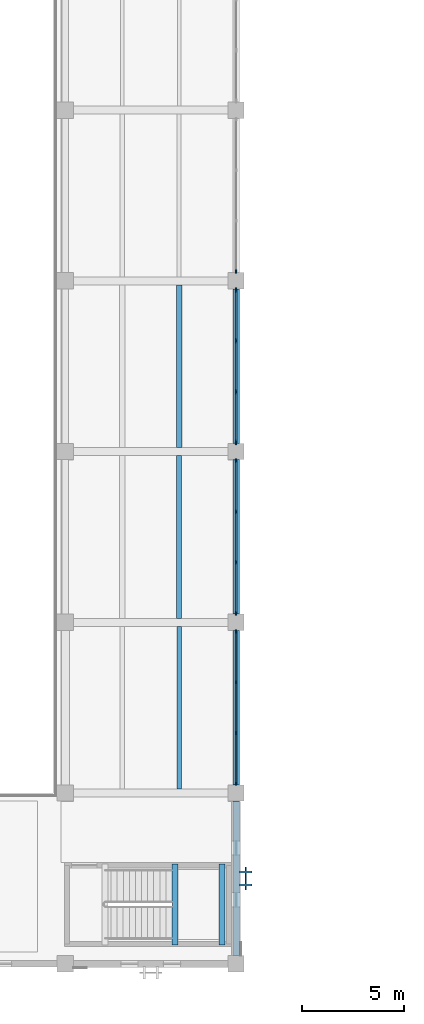
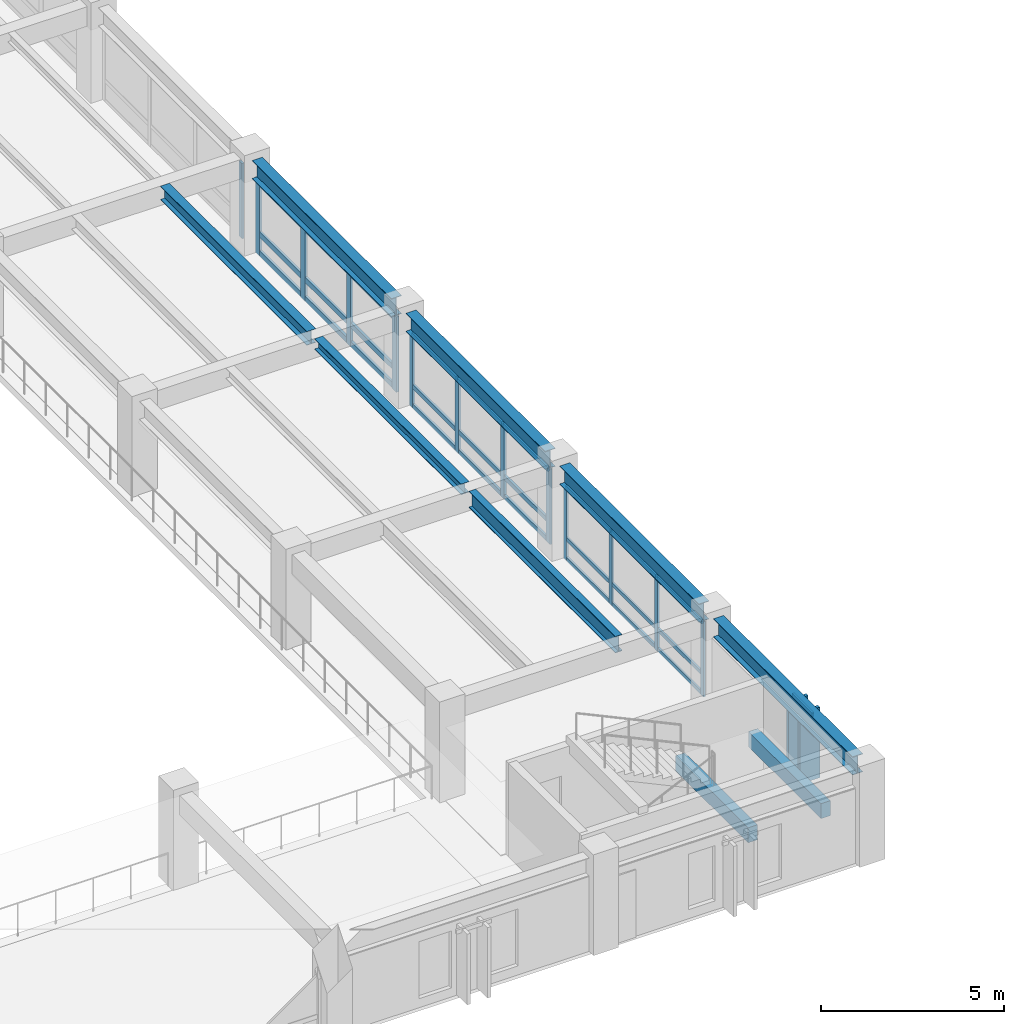
# One storey, part 13 of 111: 43 members, 9 beams, 5 elements without a shape of their own.
"""IFC4 building model written with IfcOpenShell, lengths in metres."""

from ifc_helpers import new_model, si_unit, direction, frame, origin, origin_2d, place, context, subcontext, project, spatial, rectangle, i_section, extrude, material, material_profile, profile_set, type_object, element, aggregate, save


model = new_model("IFC4")

# Units and contexts
model_context = context("Model", 3, precision=1e-05, world=origin(), true_north=direction((0.0, 1.0)))
body_context = subcontext(model_context, "Body", "Model", "MODEL_VIEW")
ifc_project = project(units=[si_unit("LENGTHUNIT", "METRE"), si_unit("AREAUNIT", "SQUARE_METRE"), si_unit("VOLUMEUNIT", "CUBIC_METRE"), si_unit("PLANEANGLEUNIT", "RADIAN"), si_unit("MASSUNIT", "GRAM", prefix="KILO")], contexts=[model_context])

# Site, building, storey
site_placement = place(None, origin())
site = spatial("IfcSite", under=ifc_project, at=site_placement, CompositionType="ELEMENT")
building_placement = place(site_placement, origin())
building = spatial("IfcBuilding", under=site, at=building_placement, Name="Cumbredor Promenade Congress Hotel", CompositionType="ELEMENT")
storey_placement = place(building_placement, frame((0.0, 0.0, 15.1201171875)))
storey = spatial("IfcBuildingStorey", under=building, at=storey_placement, Name="L04", CompositionType="ELEMENT", Elevation=15.1201171875)

# Curtain wall, members
ifc_material_1 = material(Name="Thermally broken anodized aluminium and low-E glass", Category="aluminium")
curtain_wall_type_1 = type_object("IfcCurtainWallType", Name="Unitised Bronze Curtain Wall CW-01", PredefinedType="NOTDEFINED", material=ifc_material_1)
curtain_wall_1_placement = place(storey_placement, origin())
curtain_wall_1 = element("IfcCurtainWall", 1, at=curtain_wall_1_placement, inside=storey, type_object=curtain_wall_type_1, Name="L04 Plenary Congress Hall East Curtain Wall 2", PredefinedType="NOTDEFINED")
ifc_material_2 = material(Name="Thermally broken anodized aluminium", Category="aluminium")
ifc_material_profile_1 = material_profile(ifc_material_2, rectangle(XDim=0.06494140625, YDim=0.159912109375, at=origin_2d()), Name="ALU MULLION 65x160")
ifc_profile_set_1 = profile_set([ifc_material_profile_1], Name="Thermally broken anodized aluminium")
member_type_1 = type_object("IfcMemberType", Name="Curtain Wall Mullion ML-01", PredefinedType="MULLION", material=ifc_profile_set_1)
member_1_placement = place(storey_placement, frame((67.199951171875, 17.2548828125, -0.008056640625), z_axis=(0.0, 0.0, 1.0), x_axis=(1.0, 0.0, 0.0)))
member_1 = element("IfcMember", 2, at=member_1_placement, type_object=member_type_1, Name="L04 Plenary Congress Hall East Curtain Wall 2 Mullion 1", PredefinedType="MULLION", context=body_context, shape_type="SweptSolid", body=[
    extrude(rectangle(XDim=0.06494140625, YDim=0.159912109375, at=origin_2d()), origin(), (0.0, 0.0, 1.0), 2.510009765625),
])
member_2_placement = place(storey_placement, frame((67.199951171875, 19.751708984375, -0.008056640625), z_axis=(0.0, 0.0, 1.0), x_axis=(1.0, 0.0, 0.0)))
member_2 = element("IfcMember", 3, at=member_2_placement, type_object=member_type_1, Name="L04 Plenary Congress Hall East Curtain Wall 2 Mullion 2", PredefinedType="MULLION", context=body_context, shape_type="SweptSolid", body=[
    extrude(rectangle(XDim=0.06494140625, YDim=0.159912109375, at=origin_2d()), origin(), (0.0, 0.0, 1.0), 2.510009765625),
])
member_3_placement = place(storey_placement, frame((67.199951171875, 22.248291015625, -0.008056640625), z_axis=(0.0, 0.0, 1.0), x_axis=(1.0, 0.0, 0.0)))
member_3 = element("IfcMember", 4, at=member_3_placement, type_object=member_type_1, Name="L04 Plenary Congress Hall East Curtain Wall 2 Mullion 3", PredefinedType="MULLION", context=body_context, shape_type="SweptSolid", body=[
    extrude(rectangle(XDim=0.06494140625, YDim=0.159912109375, at=origin_2d()), origin(), (0.0, 0.0, 1.0), 2.510009765625),
])
member_4_placement = place(storey_placement, frame((67.199951171875, 24.7451171875, -0.008056640625), z_axis=(0.0, 0.0, 1.0), x_axis=(1.0, 0.0, 0.0)))
member_4 = element("IfcMember", 5, at=member_4_placement, type_object=member_type_1, Name="L04 Plenary Congress Hall East Curtain Wall 2 Mullion 4", PredefinedType="MULLION", context=body_context, shape_type="SweptSolid", body=[
    extrude(rectangle(XDim=0.06494140625, YDim=0.159912109375, at=origin_2d()), origin(), (0.0, 0.0, 1.0), 2.510009765625),
])

# Curtain wall, member
curtain_wall_2_placement = place(storey_placement, origin())
curtain_wall_2 = element("IfcCurtainWall", 6, at=curtain_wall_2_placement, inside=storey, type_object=curtain_wall_type_1, Name="L04 Plenary Congress Hall East Curtain Wall 5", PredefinedType="NOTDEFINED")
member_5_placement = place(storey_placement, frame((67.199951171875, 42.455078125, -0.008056640625), z_axis=(0.0, 0.0, 1.0), x_axis=(1.0, 0.0, 0.0)))
member_5 = element("IfcMember", 7, at=member_5_placement, type_object=member_type_1, Name="L04 Plenary Congress Hall East Curtain Wall 5 Mullion 1", PredefinedType="MULLION", context=body_context, shape_type="SweptSolid", body=[
    extrude(rectangle(XDim=0.06494140625, YDim=0.159912109375, at=origin_2d()), origin(), (0.0, 0.0, 1.0), 2.510009765625),
])
aggregate(curtain_wall_2, [member_5])

# Curtain wall, members
curtain_wall_3_placement = place(storey_placement, origin())
curtain_wall_3 = element("IfcCurtainWall", 8, at=curtain_wall_3_placement, inside=storey, type_object=curtain_wall_type_1, Name="L04 Plenary Congress Hall East Curtain Wall 3", PredefinedType="NOTDEFINED")
ifc_material_profile_2 = material_profile(ifc_material_2, rectangle(XDim=0.074951171875, YDim=0.199951171875, at=origin_2d()), Name="ALU MULLION 75x200")
ifc_profile_set_2 = profile_set([ifc_material_profile_2], Name="Thermally broken anodized aluminium")
member_type_2 = type_object("IfcMemberType", Name="Curtain Wall Mullion ML-02", PredefinedType="MULLION", material=ifc_profile_set_2)
member_6_placement = place(storey_placement, frame((67.199951171875, 25.655029296875, -0.008056640625), z_axis=(0.0, 0.0, 1.0), x_axis=(1.0, 0.0, 0.0)))
member_6 = element("IfcMember", 9, at=member_6_placement, type_object=member_type_2, Name="L04 Plenary Congress Hall East Curtain Wall 3 Mullion 1", PredefinedType="MULLION", context=body_context, shape_type="SweptSolid", body=[
    extrude(rectangle(XDim=0.074951171875, YDim=0.199951171875, at=origin_2d()), origin(), (0.0, 0.0, 1.0), 2.510009765625),
])
member_7_placement = place(storey_placement, frame((67.199951171875, 28.151611328125, -0.008056640625), z_axis=(0.0, 0.0, 1.0), x_axis=(1.0, 0.0, 0.0)))
member_7 = element("IfcMember", 10, at=member_7_placement, type_object=member_type_2, Name="L04 Plenary Congress Hall East Curtain Wall 3 Mullion 2", PredefinedType="MULLION", context=body_context, shape_type="SweptSolid", body=[
    extrude(rectangle(XDim=0.074951171875, YDim=0.199951171875, at=origin_2d()), origin(), (0.0, 0.0, 1.0), 2.510009765625),
])
member_8_placement = place(storey_placement, frame((67.199951171875, 30.648193359375, -0.008056640625), z_axis=(0.0, 0.0, 1.0), x_axis=(1.0, 0.0, 0.0)))
member_8 = element("IfcMember", 11, at=member_8_placement, type_object=member_type_2, Name="L04 Plenary Congress Hall East Curtain Wall 3 Mullion 3", PredefinedType="MULLION", context=body_context, shape_type="SweptSolid", body=[
    extrude(rectangle(XDim=0.074951171875, YDim=0.199951171875, at=origin_2d()), origin(), (0.0, 0.0, 1.0), 2.510009765625),
])
member_9_placement = place(storey_placement, frame((67.199951171875, 33.14501953125, -0.008056640625), z_axis=(0.0, 0.0, 1.0), x_axis=(1.0, 0.0, 0.0)))
member_9 = element("IfcMember", 12, at=member_9_placement, type_object=member_type_2, Name="L04 Plenary Congress Hall East Curtain Wall 3 Mullion 4", PredefinedType="MULLION", context=body_context, shape_type="SweptSolid", body=[
    extrude(rectangle(XDim=0.074951171875, YDim=0.199951171875, at=origin_2d()), origin(), (0.0, 0.0, 1.0), 2.510009765625),
])

curtain_wall_4_placement = place(storey_placement, origin())
curtain_wall_4 = element("IfcCurtainWall", 13, at=curtain_wall_4_placement, inside=storey, type_object=curtain_wall_type_1, Name="L04 Plenary Congress Hall East Curtain Wall 4", PredefinedType="NOTDEFINED")
ifc_material_profile_3 = material_profile(ifc_material_2, rectangle(XDim=0.080078125, YDim=0.239990234375, at=origin_2d()), Name="ALU MULLION 80x240")
ifc_profile_set_3 = profile_set([ifc_material_profile_3], Name="Thermally broken anodized aluminium")
member_type_3 = type_object("IfcMemberType", Name="Curtain Wall Mullion ML-03", PredefinedType="MULLION", material=ifc_profile_set_3)
member_10_placement = place(storey_placement, frame((67.199951171875, 34.054931640625, -0.008056640625), z_axis=(0.0, 0.0, 1.0), x_axis=(1.0, 0.0, 0.0)))
member_10 = element("IfcMember", 14, at=member_10_placement, type_object=member_type_3, Name="L04 Plenary Congress Hall East Curtain Wall 4 Mullion 1", PredefinedType="MULLION", context=body_context, shape_type="SweptSolid", body=[
    extrude(rectangle(XDim=0.080078125, YDim=0.239990234375, at=origin_2d()), origin(), (0.0, 0.0, 1.0), 2.510009765625),
])
member_11_placement = place(storey_placement, frame((67.199951171875, 36.5517578125, -0.008056640625), z_axis=(0.0, 0.0, 1.0), x_axis=(1.0, 0.0, 0.0)))
member_11 = element("IfcMember", 15, at=member_11_placement, type_object=member_type_3, Name="L04 Plenary Congress Hall East Curtain Wall 4 Mullion 2", PredefinedType="MULLION", context=body_context, shape_type="SweptSolid", body=[
    extrude(rectangle(XDim=0.080078125, YDim=0.239990234375, at=origin_2d()), origin(), (0.0, 0.0, 1.0), 2.510009765625),
])
member_12_placement = place(storey_placement, frame((67.199951171875, 39.04833984375, -0.008056640625), z_axis=(0.0, 0.0, 1.0), x_axis=(1.0, 0.0, 0.0)))
member_12 = element("IfcMember", 16, at=member_12_placement, type_object=member_type_3, Name="L04 Plenary Congress Hall East Curtain Wall 4 Mullion 3", PredefinedType="MULLION", context=body_context, shape_type="SweptSolid", body=[
    extrude(rectangle(XDim=0.080078125, YDim=0.239990234375, at=origin_2d()), origin(), (0.0, 0.0, 1.0), 2.510009765625),
])
member_13_placement = place(storey_placement, frame((67.199951171875, 41.544921875, -0.008056640625), z_axis=(0.0, 0.0, 1.0), x_axis=(1.0, 0.0, 0.0)))
member_13 = element("IfcMember", 17, at=member_13_placement, type_object=member_type_3, Name="L04 Plenary Congress Hall East Curtain Wall 4 Mullion 4", PredefinedType="MULLION", context=body_context, shape_type="SweptSolid", body=[
    extrude(rectangle(XDim=0.080078125, YDim=0.239990234375, at=origin_2d()), origin(), (0.0, 0.0, 1.0), 2.510009765625),
])

# Curtain wall, member
curtain_wall_type_2 = type_object("IfcCurtainWallType", Name="Solar Brise-Soleil Screen Assembly CW-07", PredefinedType="NOTDEFINED", material=ifc_material_1)
curtain_wall_5_placement = place(storey_placement, origin())
curtain_wall_5 = element("IfcCurtainWall", 18, at=curtain_wall_5_placement, inside=storey, type_object=curtain_wall_type_2, Name="L04 Pier Brise-Soleil Screen 0730", PredefinedType="NOTDEFINED")
ifc_material_profile_4 = material_profile(ifc_material_2, rectangle(XDim=0.06494140625, YDim=0.1298828125, at=origin_2d()), Name="ALU TRANSOM 65x130")
ifc_profile_set_4 = profile_set([ifc_material_profile_4], Name="Thermally broken anodized aluminium")
member_type_4 = type_object("IfcMemberType", Name="Curtain Wall Transom TR-01", PredefinedType="USERDEFINED", material=ifc_profile_set_4)
member_14_placement = place(storey_placement, frame((67.672607421875, 12.050048828125, 2.333984375), z_axis=(0.0, 1.0, 0.0), x_axis=(-1.0, 0.0, 0.0)))
member_14 = element("IfcMember", 19, at=member_14_placement, type_object=member_type_4, Name="L04 Pier Brise-Soleil Header 0732", ObjectType="TRANSOM", PredefinedType="USERDEFINED", context=body_context, shape_type="SweptSolid", body=[
    extrude(rectangle(XDim=0.06494140625, YDim=0.1298828125, at=origin_2d()), origin(), (0.0, 0.0, 1.0), 1.099853515625),
])

# Member
member_15_placement = place(storey_placement, frame((67.199951171875, 17.28759765625, 0.059814453125), z_axis=(0.0, 1.0, 0.0), x_axis=(-1.0, 0.0, 0.0)))
member_15 = element("IfcMember", 20, at=member_15_placement, type_object=member_type_4, Name="L04 Plenary Congress Hall East Curtain Wall 2 Transom 1.1", ObjectType="TRANSOM", PredefinedType="USERDEFINED", context=body_context, shape_type="SweptSolid", body=[
    extrude(rectangle(XDim=0.06494140625, YDim=0.1298828125, at=origin_2d()), origin(), (0.0, 0.0, 1.0), 2.431640625),
])

member_16_placement = place(storey_placement, frame((67.199951171875, 17.28759765625, 0.719970703125), z_axis=(0.0, 1.0, 0.0), x_axis=(-1.0, 0.0, 0.0)))
member_16 = element("IfcMember", 21, at=member_16_placement, type_object=member_type_4, Name="L04 Plenary Congress Hall East Curtain Wall 2 Transom 1.2", ObjectType="TRANSOM", PredefinedType="USERDEFINED", context=body_context, shape_type="SweptSolid", body=[
    extrude(rectangle(XDim=0.06494140625, YDim=0.1298828125, at=origin_2d()), origin(), (0.0, 0.0, 1.0), 2.431640625),
])

member_17_placement = place(storey_placement, frame((67.199951171875, 17.28759765625, 2.429931640625), z_axis=(0.0, 1.0, 0.0), x_axis=(-1.0, 0.0, 0.0)))
member_17 = element("IfcMember", 22, at=member_17_placement, type_object=member_type_4, Name="L04 Plenary Congress Hall East Curtain Wall 2 Transom 1.3", ObjectType="TRANSOM", PredefinedType="USERDEFINED", context=body_context, shape_type="SweptSolid", body=[
    extrude(rectangle(XDim=0.06494140625, YDim=0.1298828125, at=origin_2d()), origin(), (0.0, 0.0, 1.0), 2.431640625),
])

member_18_placement = place(storey_placement, frame((67.199951171875, 19.7841796875, 0.059814453125), z_axis=(0.0, 1.0, 0.0), x_axis=(-1.0, 0.0, 0.0)))
member_18 = element("IfcMember", 23, at=member_18_placement, type_object=member_type_4, Name="L04 Plenary Congress Hall East Curtain Wall 2 Transom 2.1", ObjectType="TRANSOM", PredefinedType="USERDEFINED", context=body_context, shape_type="SweptSolid", body=[
    extrude(rectangle(XDim=0.06494140625, YDim=0.1298828125, at=origin_2d()), origin(), (0.0, 0.0, 1.0), 2.431640625),
])

member_19_placement = place(storey_placement, frame((67.199951171875, 19.7841796875, 0.719970703125), z_axis=(0.0, 1.0, 0.0), x_axis=(-1.0, 0.0, 0.0)))
member_19 = element("IfcMember", 24, at=member_19_placement, type_object=member_type_4, Name="L04 Plenary Congress Hall East Curtain Wall 2 Transom 2.2", ObjectType="TRANSOM", PredefinedType="USERDEFINED", context=body_context, shape_type="SweptSolid", body=[
    extrude(rectangle(XDim=0.06494140625, YDim=0.1298828125, at=origin_2d()), origin(), (0.0, 0.0, 1.0), 2.431640625),
])

member_20_placement = place(storey_placement, frame((67.199951171875, 19.7841796875, 2.429931640625), z_axis=(0.0, 1.0, 0.0), x_axis=(-1.0, 0.0, 0.0)))
member_20 = element("IfcMember", 25, at=member_20_placement, type_object=member_type_4, Name="L04 Plenary Congress Hall East Curtain Wall 2 Transom 2.3", ObjectType="TRANSOM", PredefinedType="USERDEFINED", context=body_context, shape_type="SweptSolid", body=[
    extrude(rectangle(XDim=0.06494140625, YDim=0.1298828125, at=origin_2d()), origin(), (0.0, 0.0, 1.0), 2.431640625),
])

member_21_placement = place(storey_placement, frame((67.199951171875, 22.28076171875, 0.059814453125), z_axis=(0.0, 1.0, 0.0), x_axis=(-1.0, 0.0, 0.0)))
member_21 = element("IfcMember", 26, at=member_21_placement, type_object=member_type_4, Name="L04 Plenary Congress Hall East Curtain Wall 2 Transom 3.1", ObjectType="TRANSOM", PredefinedType="USERDEFINED", context=body_context, shape_type="SweptSolid", body=[
    extrude(rectangle(XDim=0.06494140625, YDim=0.1298828125, at=origin_2d()), origin(), (0.0, 0.0, 1.0), 2.431640625),
])

member_22_placement = place(storey_placement, frame((67.199951171875, 22.28076171875, 0.719970703125), z_axis=(0.0, 1.0, 0.0), x_axis=(-1.0, 0.0, 0.0)))
member_22 = element("IfcMember", 27, at=member_22_placement, type_object=member_type_4, Name="L04 Plenary Congress Hall East Curtain Wall 2 Transom 3.2", ObjectType="TRANSOM", PredefinedType="USERDEFINED", context=body_context, shape_type="SweptSolid", body=[
    extrude(rectangle(XDim=0.06494140625, YDim=0.1298828125, at=origin_2d()), origin(), (0.0, 0.0, 1.0), 2.431640625),
])

member_23_placement = place(storey_placement, frame((67.199951171875, 22.28076171875, 2.429931640625), z_axis=(0.0, 1.0, 0.0), x_axis=(-1.0, 0.0, 0.0)))
member_23 = element("IfcMember", 28, at=member_23_placement, type_object=member_type_4, Name="L04 Plenary Congress Hall East Curtain Wall 2 Transom 3.3", ObjectType="TRANSOM", PredefinedType="USERDEFINED", context=body_context, shape_type="SweptSolid", body=[
    extrude(rectangle(XDim=0.06494140625, YDim=0.1298828125, at=origin_2d()), origin(), (0.0, 0.0, 1.0), 2.431640625),
])

aggregate(curtain_wall_1, [member_1, member_2, member_3, member_4, member_15, member_16, member_17, member_18, member_19, member_20, member_21, member_22, member_23])

ifc_material_profile_5 = material_profile(ifc_material_2, rectangle(XDim=0.074951171875, YDim=0.14990234375, at=origin_2d()), Name="ALU TRANSOM 75x150")
ifc_profile_set_5 = profile_set([ifc_material_profile_5], Name="Thermally broken anodized aluminium")
member_type_5 = type_object("IfcMemberType", Name="Curtain Wall Transom TR-02", PredefinedType="USERDEFINED", material=ifc_profile_set_5)
member_24_placement = place(storey_placement, frame((67.199951171875, 25.6923828125, 0.06982421875), z_axis=(0.0, 1.0, 0.0), x_axis=(-1.0, 0.0, 0.0)))
member_24 = element("IfcMember", 29, at=member_24_placement, type_object=member_type_5, Name="L04 Plenary Congress Hall East Curtain Wall 3 Transom 1.1", ObjectType="TRANSOM", PredefinedType="USERDEFINED", context=body_context, shape_type="SweptSolid", body=[
    extrude(rectangle(XDim=0.074951171875, YDim=0.14990234375, at=origin_2d()), origin(), (0.0, 0.0, 1.0), 2.421875),
])

member_25_placement = place(storey_placement, frame((67.199951171875, 25.6923828125, 0.719970703125), z_axis=(0.0, 1.0, 0.0), x_axis=(-1.0, 0.0, 0.0)))
member_25 = element("IfcMember", 30, at=member_25_placement, type_object=member_type_5, Name="L04 Plenary Congress Hall East Curtain Wall 3 Transom 1.2", ObjectType="TRANSOM", PredefinedType="USERDEFINED", context=body_context, shape_type="SweptSolid", body=[
    extrude(rectangle(XDim=0.074951171875, YDim=0.14990234375, at=origin_2d()), origin(), (0.0, 0.0, 1.0), 2.421875),
])

member_26_placement = place(storey_placement, frame((67.199951171875, 25.6923828125, 2.419921875), z_axis=(0.0, 1.0, 0.0), x_axis=(-1.0, 0.0, 0.0)))
member_26 = element("IfcMember", 31, at=member_26_placement, type_object=member_type_5, Name="L04 Plenary Congress Hall East Curtain Wall 3 Transom 1.3", ObjectType="TRANSOM", PredefinedType="USERDEFINED", context=body_context, shape_type="SweptSolid", body=[
    extrude(rectangle(XDim=0.074951171875, YDim=0.14990234375, at=origin_2d()), origin(), (0.0, 0.0, 1.0), 2.421875),
])

member_27_placement = place(storey_placement, frame((67.199951171875, 28.189208984375, 0.06982421875), z_axis=(0.0, 1.0, 0.0), x_axis=(-1.0, 0.0, 0.0)))
member_27 = element("IfcMember", 32, at=member_27_placement, type_object=member_type_5, Name="L04 Plenary Congress Hall East Curtain Wall 3 Transom 2.1", ObjectType="TRANSOM", PredefinedType="USERDEFINED", context=body_context, shape_type="SweptSolid", body=[
    extrude(rectangle(XDim=0.074951171875, YDim=0.14990234375, at=origin_2d()), origin(), (0.0, 0.0, 1.0), 2.421630859375),
])

member_28_placement = place(storey_placement, frame((67.199951171875, 28.189208984375, 0.719970703125), z_axis=(0.0, 1.0, 0.0), x_axis=(-1.0, 0.0, 0.0)))
member_28 = element("IfcMember", 33, at=member_28_placement, type_object=member_type_5, Name="L04 Plenary Congress Hall East Curtain Wall 3 Transom 2.2", ObjectType="TRANSOM", PredefinedType="USERDEFINED", context=body_context, shape_type="SweptSolid", body=[
    extrude(rectangle(XDim=0.074951171875, YDim=0.14990234375, at=origin_2d()), origin(), (0.0, 0.0, 1.0), 2.421630859375),
])

member_29_placement = place(storey_placement, frame((67.199951171875, 28.189208984375, 2.419921875), z_axis=(0.0, 1.0, 0.0), x_axis=(-1.0, 0.0, 0.0)))
member_29 = element("IfcMember", 34, at=member_29_placement, type_object=member_type_5, Name="L04 Plenary Congress Hall East Curtain Wall 3 Transom 2.3", ObjectType="TRANSOM", PredefinedType="USERDEFINED", context=body_context, shape_type="SweptSolid", body=[
    extrude(rectangle(XDim=0.074951171875, YDim=0.14990234375, at=origin_2d()), origin(), (0.0, 0.0, 1.0), 2.421630859375),
])

member_30_placement = place(storey_placement, frame((67.199951171875, 30.685791015625, 0.06982421875), z_axis=(0.0, 1.0, 0.0), x_axis=(-1.0, 0.0, 0.0)))
member_30 = element("IfcMember", 35, at=member_30_placement, type_object=member_type_5, Name="L04 Plenary Congress Hall East Curtain Wall 3 Transom 3.1", ObjectType="TRANSOM", PredefinedType="USERDEFINED", context=body_context, shape_type="SweptSolid", body=[
    extrude(rectangle(XDim=0.074951171875, YDim=0.14990234375, at=origin_2d()), origin(), (0.0, 0.0, 1.0), 2.421630859375),
])

member_31_placement = place(storey_placement, frame((67.199951171875, 30.685791015625, 0.719970703125), z_axis=(0.0, 1.0, 0.0), x_axis=(-1.0, 0.0, 0.0)))
member_31 = element("IfcMember", 36, at=member_31_placement, type_object=member_type_5, Name="L04 Plenary Congress Hall East Curtain Wall 3 Transom 3.2", ObjectType="TRANSOM", PredefinedType="USERDEFINED", context=body_context, shape_type="SweptSolid", body=[
    extrude(rectangle(XDim=0.074951171875, YDim=0.14990234375, at=origin_2d()), origin(), (0.0, 0.0, 1.0), 2.421630859375),
])

member_32_placement = place(storey_placement, frame((67.199951171875, 30.685791015625, 2.419921875), z_axis=(0.0, 1.0, 0.0), x_axis=(-1.0, 0.0, 0.0)))
member_32 = element("IfcMember", 37, at=member_32_placement, type_object=member_type_5, Name="L04 Plenary Congress Hall East Curtain Wall 3 Transom 3.3", ObjectType="TRANSOM", PredefinedType="USERDEFINED", context=body_context, shape_type="SweptSolid", body=[
    extrude(rectangle(XDim=0.074951171875, YDim=0.14990234375, at=origin_2d()), origin(), (0.0, 0.0, 1.0), 2.421630859375),
])

aggregate(curtain_wall_3, [member_6, member_7, member_8, member_9, member_24, member_25, member_26, member_27, member_28, member_29, member_30, member_31, member_32])

ifc_material_profile_6 = material_profile(ifc_material_2, rectangle(XDim=0.080078125, YDim=0.179931640625, at=origin_2d()), Name="ALU TRANSOM 80x180")
ifc_profile_set_6 = profile_set([ifc_material_profile_6], Name="Thermally broken anodized aluminium")
member_type_6 = type_object("IfcMemberType", Name="Curtain Wall Transom TR-03", PredefinedType="USERDEFINED", material=ifc_profile_set_6)
member_33_placement = place(storey_placement, frame((67.199951171875, 34.094970703125, 0.08984375), z_axis=(0.0, 1.0, 0.0), x_axis=(-1.0, 0.0, 0.0)))
member_33 = element("IfcMember", 38, at=member_33_placement, type_object=member_type_6, Name="L04 Plenary Congress Hall East Curtain Wall 4 Transom 1.1", ObjectType="TRANSOM", PredefinedType="USERDEFINED", context=body_context, shape_type="SweptSolid", body=[
    extrude(rectangle(XDim=0.080078125, YDim=0.179931640625, at=origin_2d()), origin(), (0.0, 0.0, 1.0), 2.416748046875),
])

member_34_placement = place(storey_placement, frame((67.199951171875, 34.094970703125, 0.719970703125), z_axis=(0.0, 1.0, 0.0), x_axis=(-1.0, 0.0, 0.0)))
member_34 = element("IfcMember", 39, at=member_34_placement, type_object=member_type_6, Name="L04 Plenary Congress Hall East Curtain Wall 4 Transom 1.2", ObjectType="TRANSOM", PredefinedType="USERDEFINED", context=body_context, shape_type="SweptSolid", body=[
    extrude(rectangle(XDim=0.080078125, YDim=0.179931640625, at=origin_2d()), origin(), (0.0, 0.0, 1.0), 2.416748046875),
])

member_35_placement = place(storey_placement, frame((67.199951171875, 34.094970703125, 2.39990234375), z_axis=(0.0, 1.0, 0.0), x_axis=(-1.0, 0.0, 0.0)))
member_35 = element("IfcMember", 40, at=member_35_placement, type_object=member_type_6, Name="L04 Plenary Congress Hall East Curtain Wall 4 Transom 1.3", ObjectType="TRANSOM", PredefinedType="USERDEFINED", context=body_context, shape_type="SweptSolid", body=[
    extrude(rectangle(XDim=0.080078125, YDim=0.179931640625, at=origin_2d()), origin(), (0.0, 0.0, 1.0), 2.416748046875),
])

member_36_placement = place(storey_placement, frame((67.199951171875, 36.591796875, 0.08984375), z_axis=(0.0, 1.0, 0.0), x_axis=(-1.0, 0.0, 0.0)))
member_36 = element("IfcMember", 41, at=member_36_placement, type_object=member_type_6, Name="L04 Plenary Congress Hall East Curtain Wall 4 Transom 2.1", ObjectType="TRANSOM", PredefinedType="USERDEFINED", context=body_context, shape_type="SweptSolid", body=[
    extrude(rectangle(XDim=0.080078125, YDim=0.179931640625, at=origin_2d()), origin(), (0.0, 0.0, 1.0), 2.41650390625),
])

member_37_placement = place(storey_placement, frame((67.199951171875, 36.591796875, 0.719970703125), z_axis=(0.0, 1.0, 0.0), x_axis=(-1.0, 0.0, 0.0)))
member_37 = element("IfcMember", 42, at=member_37_placement, type_object=member_type_6, Name="L04 Plenary Congress Hall East Curtain Wall 4 Transom 2.2", ObjectType="TRANSOM", PredefinedType="USERDEFINED", context=body_context, shape_type="SweptSolid", body=[
    extrude(rectangle(XDim=0.080078125, YDim=0.179931640625, at=origin_2d()), origin(), (0.0, 0.0, 1.0), 2.41650390625),
])

member_38_placement = place(storey_placement, frame((67.199951171875, 36.591796875, 2.39990234375), z_axis=(0.0, 1.0, 0.0), x_axis=(-1.0, 0.0, 0.0)))
member_38 = element("IfcMember", 43, at=member_38_placement, type_object=member_type_6, Name="L04 Plenary Congress Hall East Curtain Wall 4 Transom 2.3", ObjectType="TRANSOM", PredefinedType="USERDEFINED", context=body_context, shape_type="SweptSolid", body=[
    extrude(rectangle(XDim=0.080078125, YDim=0.179931640625, at=origin_2d()), origin(), (0.0, 0.0, 1.0), 2.41650390625),
])

member_39_placement = place(storey_placement, frame((67.199951171875, 39.08837890625, 0.08984375), z_axis=(0.0, 1.0, 0.0), x_axis=(-1.0, 0.0, 0.0)))
member_39 = element("IfcMember", 44, at=member_39_placement, type_object=member_type_6, Name="L04 Plenary Congress Hall East Curtain Wall 4 Transom 3.1", ObjectType="TRANSOM", PredefinedType="USERDEFINED", context=body_context, shape_type="SweptSolid", body=[
    extrude(rectangle(XDim=0.080078125, YDim=0.179931640625, at=origin_2d()), origin(), (0.0, 0.0, 1.0), 2.41650390625),
])

member_40_placement = place(storey_placement, frame((67.199951171875, 39.08837890625, 0.719970703125), z_axis=(0.0, 1.0, 0.0), x_axis=(-1.0, 0.0, 0.0)))
member_40 = element("IfcMember", 45, at=member_40_placement, type_object=member_type_6, Name="L04 Plenary Congress Hall East Curtain Wall 4 Transom 3.2", ObjectType="TRANSOM", PredefinedType="USERDEFINED", context=body_context, shape_type="SweptSolid", body=[
    extrude(rectangle(XDim=0.080078125, YDim=0.179931640625, at=origin_2d()), origin(), (0.0, 0.0, 1.0), 2.41650390625),
])

member_41_placement = place(storey_placement, frame((67.199951171875, 39.08837890625, 2.39990234375), z_axis=(0.0, 1.0, 0.0), x_axis=(-1.0, 0.0, 0.0)))
member_41 = element("IfcMember", 46, at=member_41_placement, type_object=member_type_6, Name="L04 Plenary Congress Hall East Curtain Wall 4 Transom 3.3", ObjectType="TRANSOM", PredefinedType="USERDEFINED", context=body_context, shape_type="SweptSolid", body=[
    extrude(rectangle(XDim=0.080078125, YDim=0.179931640625, at=origin_2d()), origin(), (0.0, 0.0, 1.0), 2.41650390625),
])

aggregate(curtain_wall_4, [member_10, member_11, member_12, member_13, member_33, member_34, member_35, member_36, member_37, member_38, member_39, member_40, member_41])

# Beams
ifc_material_3 = material(Name="Steel ASTM A992 Grade 50", Category="steel")
ifc_material_profile_7 = material_profile(ifc_material_3, i_section(OverallWidth=0.2548828125, OverallDepth=0.35693359375, WebThickness=0.010498046875, FlangeThickness=0.018310546875, at=origin_2d()), Name="W14X68")
ifc_profile_set_7 = profile_set([ifc_material_profile_7], Name="Steel ASTM A992 Grade 50")
beam_type_1 = type_object("IfcBeamType", Name="JST-W14X68", PredefinedType="JOIST", material=ifc_profile_set_7)
beam_1_placement = place(storey_placement, frame((64.39990234375, 25.39990234375, 2.94140625), z_axis=(0.0, 1.0, 0.0), x_axis=(-1.0, 0.0, 0.0)))
element("IfcBeam", 47, at=beam_1_placement, inside=storey, type_object=beam_type_1, Name="L05 Secondary Floor Joist 0051", PredefinedType="JOIST", context=body_context, shape_type="SweptSolid", body=[
    extrude(i_section(OverallWidth=0.2548828125, OverallDepth=0.35693359375, WebThickness=0.010498046875, FlangeThickness=0.018310546875, at=origin_2d()), origin(), (0.0, 0.0, 1.0), 8.0),
])
ifc_material_profile_8 = material_profile(ifc_material_3, i_section(OverallWidth=0.280029296875, OverallDepth=0.462890625, WebThickness=0.0107421875, FlangeThickness=0.017333984375, at=origin_2d()), Name="W18X76")
ifc_profile_set_8 = profile_set([ifc_material_profile_8], Name="Steel ASTM A992 Grade 50")
beam_type_2 = type_object("IfcBeamType", Name="JST-W18X76", PredefinedType="JOIST", material=ifc_profile_set_8)
beam_2_placement = place(storey_placement, frame((64.39990234375, 33.800048828125, 2.888427734375), z_axis=(0.0, 1.0, 0.0), x_axis=(-1.0, 0.0, 0.0)))
element("IfcBeam", 48, at=beam_2_placement, inside=storey, type_object=beam_type_2, Name="L05 Secondary Floor Joist 0053", PredefinedType="JOIST", context=body_context, shape_type="SweptSolid", body=[
    extrude(i_section(OverallWidth=0.280029296875, OverallDepth=0.462890625, WebThickness=0.0107421875, FlangeThickness=0.017333984375, at=origin_2d()), origin(), (0.0, 0.0, 1.0), 8.0),
])
ifc_material_profile_9 = material_profile(ifc_material_3, i_section(OverallWidth=0.214111328125, OverallDepth=0.549072265625, WebThickness=0.0146484375, FlangeThickness=0.023681640625, at=origin_2d()), Name="W21X93")
ifc_profile_set_9 = profile_set([ifc_material_profile_9], Name="Steel ASTM A992 Grade 50")
beam_type_3 = type_object("IfcBeamType", Name="JST-W21X93", PredefinedType="JOIST", material=ifc_profile_set_9)
beam_3_placement = place(storey_placement, frame((64.39990234375, 17.0, 2.845458984375), z_axis=(0.0, 1.0, 0.0), x_axis=(-1.0, 0.0, 0.0)))
element("IfcBeam", 49, at=beam_3_placement, inside=storey, type_object=beam_type_3, Name="L05 Secondary Floor Joist 0049", PredefinedType="JOIST", context=body_context, shape_type="SweptSolid", body=[
    extrude(i_section(OverallWidth=0.214111328125, OverallDepth=0.549072265625, WebThickness=0.0146484375, FlangeThickness=0.023681640625, at=origin_2d()), origin(), (0.0, 0.0, 1.0), 8.0),
])
ifc_material_4 = material(Name="Concrete C40/50", Category="concrete")
ifc_material_profile_10 = material_profile(ifc_material_4, rectangle(XDim=0.300048828125, YDim=0.5, at=origin_2d()), Name="RC LINTEL 300x500")
ifc_profile_set_10 = profile_set([ifc_material_profile_10], Name="Concrete C40/50")
beam_type_4 = type_object("IfcBeamType", Name="LN-RC-300x500", PredefinedType="LINTEL", material=ifc_profile_set_10)
for number, where, z_axis, x_axis, name in (
    (50, (66.5, 9.330078125, 1.22998046875), (0.0, 1.0, 0.0), (-1.0, 0.0, 0.0), "L04 Stair ST-05 Landing Ledger Beam E"),
    (51, (64.199951171875, 9.330078125, 1.22998046875), (0.0, 1.0, 0.0), (-1.0, 0.0, 0.0), "L04 Stair ST-05 Landing Ledger Beam W"),
):
    element("IfcBeam", number, at=place(storey_placement, frame(where, z_axis=z_axis, x_axis=x_axis)), inside=storey, type_object=beam_type_4, Name=name, PredefinedType="LINTEL", context=body_context, shape_type="SweptSolid", body=[
        extrude(rectangle(XDim=0.300048828125, YDim=0.5, at=origin_2d()), origin(), (0.0, 0.0, 1.0), 3.969970703125),
    ])
ifc_material_profile_11 = material_profile(ifc_material_3, i_section(OverallWidth=0.323974609375, OverallDepth=0.611083984375, WebThickness=0.0126953125, FlangeThickness=0.01904296875, at=origin_2d()), Name="W24X104")
ifc_profile_set_11 = profile_set([ifc_material_profile_11], Name="Steel ASTM A992 Grade 50")
beam_type_5 = type_object("IfcBeamType", Name="SP-W24X104", PredefinedType="SPANDREL", material=ifc_profile_set_11)
beam_4_placement = place(storey_placement, frame((67.199951171875, 8.800048828125, 2.814453125), z_axis=(0.0, 1.0, 0.0), x_axis=(-1.0, 0.0, 0.0)))
element("IfcBeam", 52, at=beam_4_placement, inside=storey, type_object=beam_type_5, Name="L05 Y-Grid Beam 109", PredefinedType="SPANDREL", context=body_context, shape_type="SweptSolid", body=[
    extrude(i_section(OverallWidth=0.323974609375, OverallDepth=0.611083984375, WebThickness=0.0126953125, FlangeThickness=0.01904296875, at=origin_2d()), origin(), (0.0, 0.0, 1.0), 7.599853515625),
])
beam_5_placement = place(storey_placement, frame((67.199951171875, 17.199951171875, 2.814453125), z_axis=(0.0, 1.0, 0.0), x_axis=(-1.0, 0.0, 0.0)))
element("IfcBeam", 53, at=beam_5_placement, inside=storey, type_object=beam_type_5, Name="L05 Y-Grid Beam 110", PredefinedType="SPANDREL", context=body_context, shape_type="SweptSolid", body=[
    extrude(i_section(OverallWidth=0.323974609375, OverallDepth=0.611083984375, WebThickness=0.0126953125, FlangeThickness=0.01904296875, at=origin_2d()), origin(), (0.0, 0.0, 1.0), 7.60009765625),
])
beam_6_placement = place(storey_placement, frame((67.199951171875, 25.60009765625, 2.814453125), z_axis=(0.0, 1.0, 0.0), x_axis=(-1.0, 0.0, 0.0)))
element("IfcBeam", 54, at=beam_6_placement, inside=storey, type_object=beam_type_5, Name="L05 Y-Grid Beam 111", PredefinedType="SPANDREL", context=body_context, shape_type="SweptSolid", body=[
    extrude(i_section(OverallWidth=0.323974609375, OverallDepth=0.611083984375, WebThickness=0.0126953125, FlangeThickness=0.01904296875, at=origin_2d()), origin(), (0.0, 0.0, 1.0), 7.599853515625),
])
beam_7_placement = place(storey_placement, frame((67.199951171875, 34.0, 2.814453125), z_axis=(0.0, 1.0, 0.0), x_axis=(-1.0, 0.0, 0.0)))
element("IfcBeam", 55, at=beam_7_placement, inside=storey, type_object=beam_type_5, Name="L05 Y-Grid Beam 112", PredefinedType="SPANDREL", context=body_context, shape_type="SweptSolid", body=[
    extrude(i_section(OverallWidth=0.323974609375, OverallDepth=0.611083984375, WebThickness=0.0126953125, FlangeThickness=0.01904296875, at=origin_2d()), origin(), (0.0, 0.0, 1.0), 7.60009765625),
])

# Member
ifc_material_profile_12 = material_profile(ifc_material_2, rectangle(XDim=0.110107421875, YDim=0.6201171875, at=origin_2d()), Name="ARCH FIN 110x620")
ifc_profile_set_12 = profile_set([ifc_material_profile_12], Name="Thermally broken anodized aluminium")
member_type_7 = type_object("IfcMemberType", Name="Vertical Bronze Brise-Soleil Fin BSF-02 110x620", PredefinedType="USERDEFINED", material=ifc_profile_set_12)
member_42_placement = place(storey_placement, frame((67.672607421875, 12.280029296875, 0.019775390625), z_axis=(0.0, 0.0, 1.0), x_axis=(0.0, 1.0, 0.0)))
member_42 = element("IfcMember", 56, at=member_42_placement, type_object=member_type_7, Name="L04 Pier Brise-Soleil Fin 0731", ObjectType="SOLAR FIN", PredefinedType="USERDEFINED", context=body_context, shape_type="SweptSolid", body=[
    extrude(rectangle(XDim=0.110107421875, YDim=0.6201171875, at=origin_2d()), origin(), (0.0, 0.0, 1.0), 2.35400390625),
])

member_43_placement = place(storey_placement, frame((67.672607421875, 12.919921875, 0.019775390625), z_axis=(0.0, 0.0, 1.0), x_axis=(0.0, 1.0, 0.0)))
member_43 = element("IfcMember", 57, at=member_43_placement, type_object=member_type_7, Name="L04 Pier Brise-Soleil Fin 0732", ObjectType="SOLAR FIN", PredefinedType="USERDEFINED", context=body_context, shape_type="SweptSolid", body=[
    extrude(rectangle(XDim=0.110107421875, YDim=0.6201171875, at=origin_2d()), origin(), (0.0, 0.0, 1.0), 2.35400390625),
])

aggregate(curtain_wall_5, [member_42, member_43, member_14])

save(model, "model.ifc")
